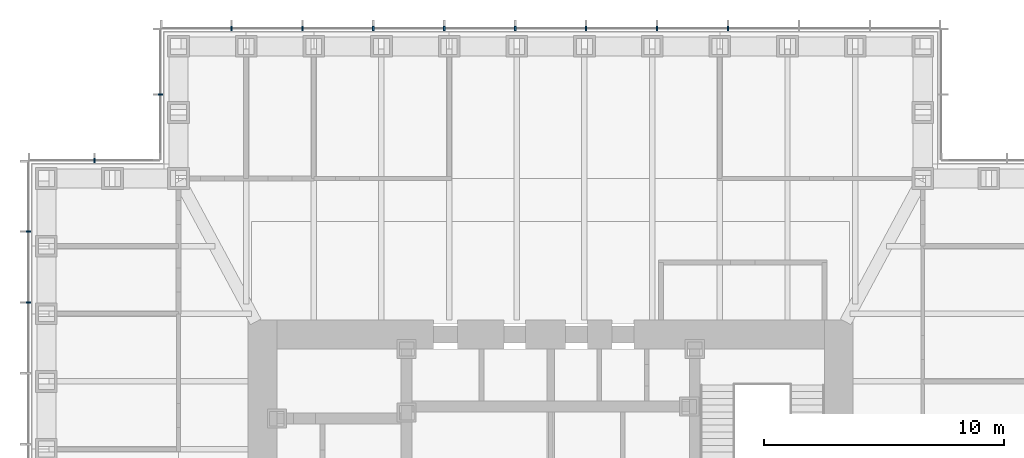
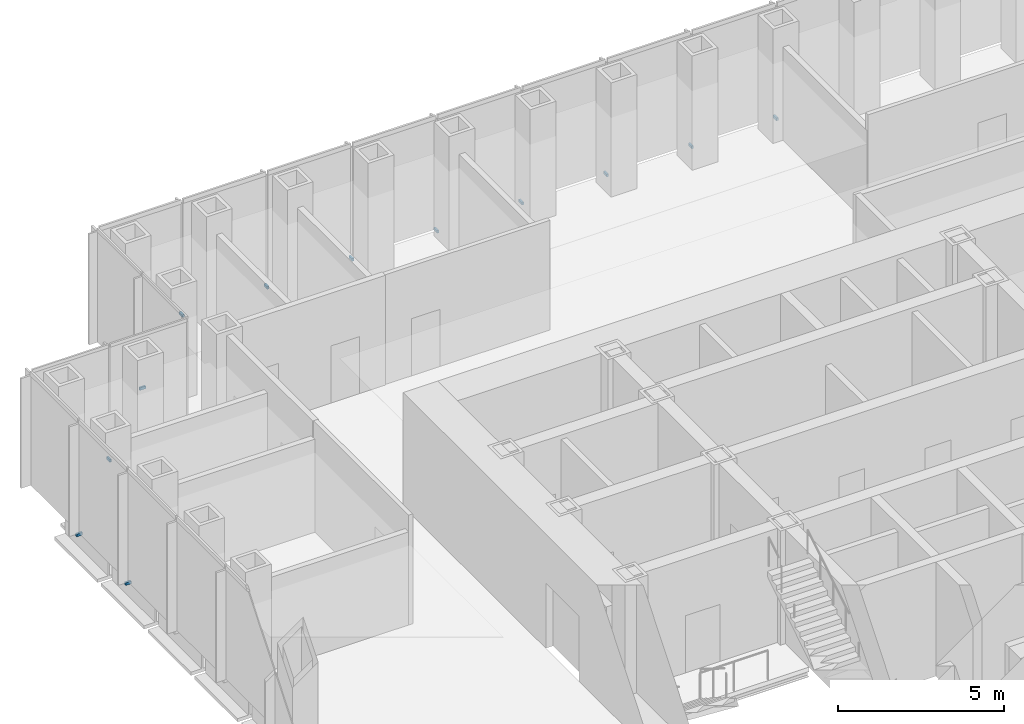
# One storey, part 14 of 16: 12 discrete accessories.
"""IFC4 building model written with IfcOpenShell, lengths in metres."""

from ifc_helpers import new_model, si_unit, direction, frame, origin, origin_2d, place, context, subcontext, project, spatial, rectangle, extrude, element, save


model = new_model("IFC4")

# Units and contexts
model_context = context("Model", 3, precision=1e-05, world=origin(), true_north=direction((0.0, 1.0)))
body_context = subcontext(model_context, "Body", "Model", "MODEL_VIEW")
ifc_project = project(units=[si_unit("LENGTHUNIT", "METRE"), si_unit("AREAUNIT", "SQUARE_METRE"), si_unit("VOLUMEUNIT", "CUBIC_METRE"), si_unit("PLANEANGLEUNIT", "RADIAN"), si_unit("MASSUNIT", "GRAM", prefix="KILO")], contexts=[model_context])

# Site, building, storey
site_placement = place(None, origin())
site = spatial("IfcSite", under=ifc_project, at=site_placement, CompositionType="ELEMENT")
building_placement = place(site_placement, origin())
building = spatial("IfcBuilding", under=site, at=building_placement, Name="Daluyong Arena Tower", CompositionType="ELEMENT")
storey_placement = place(building_placement, frame((0.0, 0.0, 210.699951171875)))
storey = spatial("IfcBuildingStorey", under=building, at=storey_placement, Name="L47", CompositionType="ELEMENT", Elevation=210.699951171875)

# Discrete accessories
for number, where, z_axis, x_axis, name in (
    (1, (63.386474609375, 101.75, -0.10009765625), (0.0, 0.0, 1.0), (-1.0, 0.0, 0.0), "curtain wall L47 N anchor bracket 4"),
    (2, (60.431884765625, 101.75, -0.10009765625), (0.0, 0.0, 1.0), (-1.0, 0.0, 0.0), "curtain wall L47 N anchor bracket 5"),
    (3, (57.477294921875, 101.75, -0.10009765625), (0.0, 0.0, 1.0), (-1.0, 0.0, 0.0), "curtain wall L47 N anchor bracket 6"),
    (4, (54.522705078125, 101.75, -0.10009765625), (0.0, 0.0, 1.0), (-1.0, 0.0, 0.0), "curtain wall L47 N anchor bracket 7"),
    (5, (51.568115234375, 101.75, -0.10009765625), (0.0, 0.0, 1.0), (-1.0, 0.0, 0.0), "curtain wall L47 N anchor bracket 8"),
    (6, (48.613525390625, 101.75, -0.10009765625), (0.0, 0.0, 1.0), (-1.0, 0.0, 0.0), "curtain wall L47 N anchor bracket 9"),
    (7, (45.6591796875, 101.75, -0.10009765625), (0.0, 0.0, 1.0), (-1.0, 0.0, 0.0), "curtain wall L47 N anchor bracket 10"),
    (8, (42.70458984375, 101.75, -0.10009765625), (0.0, 0.0, 1.0), (-1.0, 0.0, 0.0), "curtain wall L47 N anchor bracket 11"),
):
    element("IfcDiscreteAccessory", number, at=place(storey_placement, frame(where, z_axis=z_axis, x_axis=x_axis)), inside=storey, Name=name, PredefinedType="BRACKET", context=body_context, shape_type="SweptSolid", body=[
        extrude(rectangle(XDim=0.070068359375, YDim=0.199951171875, at=origin_2d()), origin(), (0.0, 0.0, 1.0), 0.10009765625),
    ])
for number, where, z_axis, x_axis, name in (
    (9, (39.75, 99.0, -0.10009765625), (0.0, 0.0, 1.0), (0.0, -1.0, 0.0), "curtain wall L47 NW-W anchor bracket 2"),
    (10, (37.0, 96.25, -0.10009765625), (0.0, 0.0, 1.0), (-1.0, 0.0, 0.0), "curtain wall L47 NW-N anchor bracket 2"),
):
    element("IfcDiscreteAccessory", number, at=place(storey_placement, frame(where, z_axis=z_axis, x_axis=x_axis)), inside=storey, Name=name, PredefinedType="BRACKET", context=body_context, shape_type="SweptSolid", body=[
        extrude(rectangle(XDim=0.06005859375, YDim=0.199951171875, at=origin_2d()), origin(), (0.0, 0.0, 1.0), 0.10009765625),
    ])
for number, where, z_axis, x_axis, name in (
    (11, (34.25, 93.29541015625, -0.10009765625), (0.0, 0.0, 1.0), (0.0, -1.0, 0.0), "curtain wall L47 W anchor bracket 2"),
    (12, (34.25, 90.3408203125, -0.10009765625), (0.0, 0.0, 1.0), (0.0, -1.0, 0.0), "curtain wall L47 W anchor bracket 3"),
):
    element("IfcDiscreteAccessory", number, at=place(storey_placement, frame(where, z_axis=z_axis, x_axis=x_axis)), inside=storey, Name=name, PredefinedType="BRACKET", context=body_context, shape_type="SweptSolid", body=[
        extrude(rectangle(XDim=0.070068359375, YDim=0.199951171875, at=origin_2d()), origin(), (0.0, 0.0, 1.0), 0.10009765625),
    ])

save(model, "model.ifc")
